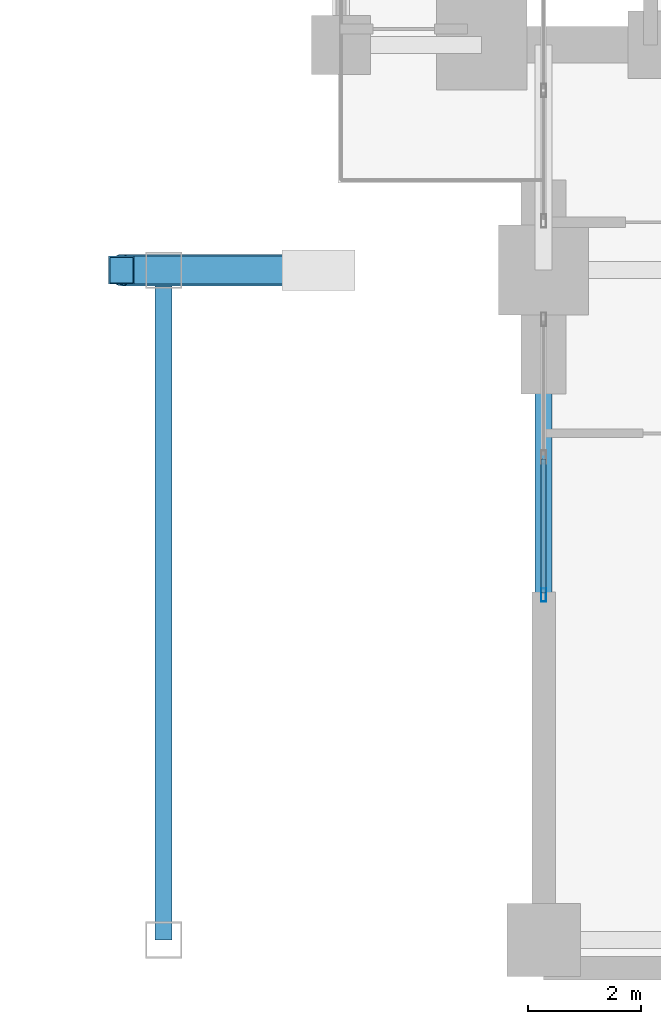
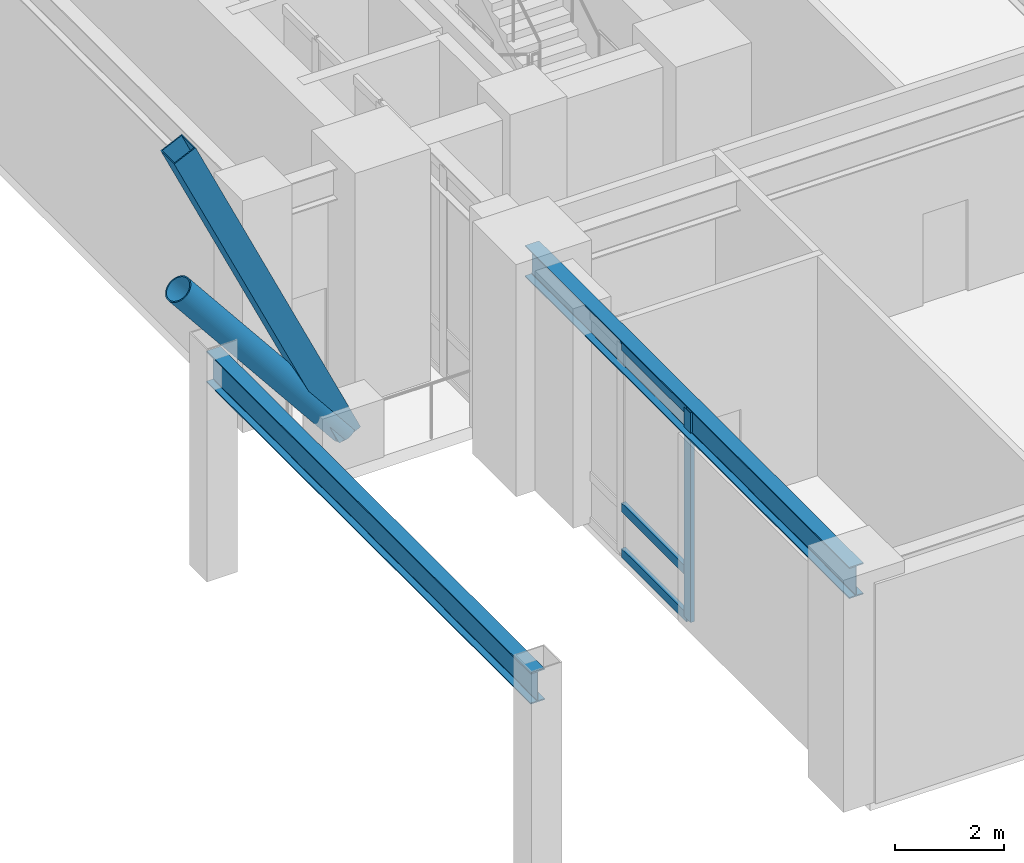
# One storey, part 6 of 26: 6 members, 2 beams, 1 element without a shape of its own.
"""IFC4 building model written with IfcOpenShell, lengths in metres."""

from ifc_helpers import new_model, si_unit, direction, frame, origin, origin_2d, place, context, subcontext, project, spatial, hollow_rectangle, hollow_circle, i_section, extrude, material, layer, layer_set, material_profile, profile_set, type_object, element, aggregate, save


model = new_model("IFC4")

# Units and contexts
model_context = context("Model", 3, precision=1e-05, world=origin(), true_north=direction((0.0, 1.0)))
body_context = subcontext(model_context, "Body", "Model", "MODEL_VIEW")
ifc_project = project(units=[si_unit("LENGTHUNIT", "METRE"), si_unit("AREAUNIT", "SQUARE_METRE"), si_unit("VOLUMEUNIT", "CUBIC_METRE"), si_unit("PLANEANGLEUNIT", "RADIAN"), si_unit("MASSUNIT", "GRAM", prefix="KILO")], contexts=[model_context])

# Site, building, storey
site_placement = place(None, origin())
site = spatial("IfcSite", under=ifc_project, at=site_placement, CompositionType="ELEMENT")
building_placement = place(site_placement, origin())
building = spatial("IfcBuilding", under=site, at=building_placement, Name="Voryun Gate Residences", CompositionType="ELEMENT")
storey_placement = place(building_placement, frame((0.0, 0.0, 10.39990234375)))
storey = spatial("IfcBuildingStorey", under=building, at=storey_placement, Name="L02", CompositionType="ELEMENT", Elevation=10.39990234375)

# Beams
ifc_material_1 = material(Name="Steel SM355", Category="steel")
ifc_material_profile_1 = material_profile(ifc_material_1, i_section(OverallWidth=0.300048828125, OverallDepth=0.699951171875, WebThickness=0.012939453125, FlangeThickness=0.02392578125, FilletRadius=0.01806640625, at=origin_2d()), Name="H-700x300x13x24")
ifc_profile_set_1 = profile_set([ifc_material_profile_1], Name="Steel SM355")
beam_type = type_object("IfcBeamType", Name="BM_GIRD_700", PredefinedType="USERDEFINED", material=ifc_profile_set_1)
for number, where, z_axis, x_axis, name in (
    (1, (13.5, -23.300048828125, 4.570068359375), (0.0, 1.0, 0.0), (-1.0, 0.0, 0.0), "BM-L02-PEYA--23.3"),
    (2, (6.75, -23.300048828125, 4.570068359375), (0.0, 1.0, 0.0), (-1.0, 0.0, 0.0), "BM-L02-APY-S-+6.75"),
):
    element("IfcBeam", number, at=place(storey_placement, frame(where, z_axis=z_axis, x_axis=x_axis)), inside=storey, type_object=beam_type, Name=name, ObjectType="GIRDER", PredefinedType="USERDEFINED", context=body_context, shape_type="SweptSolid", body=[
        extrude(i_section(OverallWidth=0.300048828125, OverallDepth=0.699951171875, WebThickness=0.012939453125, FlangeThickness=0.02392578125, FilletRadius=0.01806640625, at=origin_2d()), origin(), (0.0, 0.0, 1.0), 11.900146484375),
    ])

# Curtain wall, members
ifc_material_2 = material(Name="Anodised aluminium", Category="aluminium")
ifc_layer = layer(ifc_material_2, 0.239990234375, Name="CW_SYS_ARCH_DARK_GLASS")
ifc_layer_set = layer_set([ifc_layer], Name="Anodised aluminium")
curtain_wall_type = type_object("IfcCurtainWallType", Name="CW_SYS_ARCH_DARK_GLASS", PredefinedType="NOTDEFINED", material=ifc_layer_set)
curtain_wall_placement = place(storey_placement, origin())
curtain_wall = element("IfcCurtainWall", 3, at=curtain_wall_placement, inside=storey, type_object=curtain_wall_type, Name="Curtain wall CW2-L02-EP-S", PredefinedType="NOTDEFINED")
ifc_material_3 = material(Name="Anodised aluminium", Category="aluminium")
ifc_material_profile_2 = material_profile(ifc_material_3, hollow_rectangle(XDim=0.090087890625, YDim=0.239990234375, WallThickness=0.006103515625, at=origin_2d()), Name="ALU-MULL-240x90x6")
ifc_profile_set_2 = profile_set([ifc_material_profile_2], Name="Anodised aluminium")
member_type_1 = type_object("IfcMemberType", Name="CW_MULL_ARCH", PredefinedType="MULLION", material=ifc_profile_set_2)
member_1_placement = place(storey_placement, frame((13.5, -17.169921875, 0.0), z_axis=(0.0, 0.0, 1.0), x_axis=(-1.0, 0.0, 0.0)))
member_1 = element("IfcMember", 4, at=member_1_placement, type_object=member_type_1, Name="CW2 mullion 1", PredefinedType="MULLION", context=body_context, shape_type="SweptSolid", body=[
    extrude(hollow_rectangle(XDim=0.090087890625, YDim=0.239990234375, WallThickness=0.006103515625, at=origin_2d()), origin(), (0.0, 0.0, 1.0), 4.7001953125),
])
ifc_material_4 = material(Name="Anodised aluminium", Category="aluminium")
ifc_material_profile_3 = material_profile(ifc_material_4, hollow_rectangle(XDim=0.090087890625, YDim=0.199951171875, WallThickness=0.006103515625, at=origin_2d()), Name="ALU-TRAN-200x90x6")
ifc_profile_set_3 = profile_set([ifc_material_profile_3], Name="Anodised aluminium")
member_type_2 = type_object("IfcMemberType", Name="CW_TRAN_ARCH", PredefinedType="USERDEFINED", material=ifc_profile_set_3)
member_2_placement = place(storey_placement, frame((13.5, -17.139892578125, 0.030029296875), z_axis=(0.0, 1.0, 0.0), x_axis=(-1.0, 0.0, 0.0)))
member_2 = element("IfcMember", 5, at=member_2_placement, type_object=member_type_2, Name="CW2 transom 1.1", ObjectType="TRANSOM", PredefinedType="USERDEFINED", context=body_context, shape_type="SweptSolid", body=[
    extrude(hollow_rectangle(XDim=0.090087890625, YDim=0.199951171875, WallThickness=0.006103515625, at=origin_2d()), origin(), (0.0, 0.0, 1.0), 2.387451171875),
])
member_3_placement = place(storey_placement, frame((13.5, -17.139892578125, 1.050048828125), z_axis=(0.0, 1.0, 0.0), x_axis=(-1.0, 0.0, 0.0)))
member_3 = element("IfcMember", 6, at=member_3_placement, type_object=member_type_2, Name="CW2 transom 1.2", ObjectType="TRANSOM", PredefinedType="USERDEFINED", context=body_context, shape_type="SweptSolid", body=[
    extrude(hollow_rectangle(XDim=0.090087890625, YDim=0.199951171875, WallThickness=0.006103515625, at=origin_2d()), origin(), (0.0, 0.0, 1.0), 2.387451171875),
])
member_4_placement = place(storey_placement, frame((13.5, -17.139892578125, 4.670166015625), z_axis=(0.0, 1.0, 0.0), x_axis=(-1.0, 0.0, 0.0)))
member_4 = element("IfcMember", 7, at=member_4_placement, type_object=member_type_2, Name="CW2 transom 1.3", ObjectType="TRANSOM", PredefinedType="USERDEFINED", context=body_context, shape_type="SweptSolid", body=[
    extrude(hollow_rectangle(XDim=0.090087890625, YDim=0.199951171875, WallThickness=0.006103515625, at=origin_2d()), origin(), (0.0, 0.0, 1.0), 2.387451171875),
])
aggregate(curtain_wall, [member_1, member_2, member_3, member_4])

# Members
ifc_material_5 = material(Name="Steel SM420", Category="steel")
ifc_material_profile_4 = material_profile(ifc_material_5, hollow_rectangle(XDim=0.5, YDim=0.5, WallThickness=0.02392578125, at=origin_2d()), Name="BOX-500x500x24")
ifc_profile_set_4 = profile_set([ifc_material_profile_4], Name="Steel SM420")
member_type_3 = type_object("IfcMemberType", Name="MBR_ARCH_WEB", PredefinedType="BRACE", material=ifc_profile_set_4)
member_5_placement = place(storey_placement, frame((9.5, -11.39990234375, 2.170166015625), z_axis=(-0.423814209745, 0.0, 0.905749146077), x_axis=(0.0, -1.0, 0.0)))
element("IfcMember", 8, at=member_5_placement, inside=storey, type_object=member_type_3, Name="Parabolic Tied-Arch Web Brace S-7", PredefinedType="BRACE", context=body_context, shape_type="SweptSolid", body=[
    extrude(hollow_rectangle(XDim=0.5, YDim=0.5, WallThickness=0.02392578125, at=origin_2d()), origin(), (0.0, 0.0, 1.0), 8.25830078125),
])
ifc_material_6 = material(Name="Steel SM420", Category="steel")
ifc_material_profile_5 = material_profile(ifc_material_6, hollow_circle(Radius=0.280029296875, WallThickness=0.02587890625, at=origin_2d()), Name="CHS-560x26")
ifc_profile_set_5 = profile_set([ifc_material_profile_5], Name="Steel SM420")
member_type_4 = type_object("IfcMemberType", Name="MBR_CANT_STRUT_B2", PredefinedType="STRUT", material=ifc_profile_set_5)
member_6_placement = place(storey_placement, frame((6.0, -11.39990234375, 6.51611328125), z_axis=(0.627231505049, 0.0, -0.778832869795), x_axis=(0.0, 1.0, 0.0)))
element("IfcMember", 9, at=member_6_placement, inside=storey, type_object=member_type_4, Name="Parabolic Tied-Arch Rib Member S Segment 7", PredefinedType="STRUT", context=body_context, shape_type="SweptSolid", body=[
    extrude(hollow_circle(Radius=0.280029296875, WallThickness=0.02587890625, at=origin_2d()), origin(), (0.0, 0.0, 1.0), 5.580078125),
])

save(model, "model.ifc")
